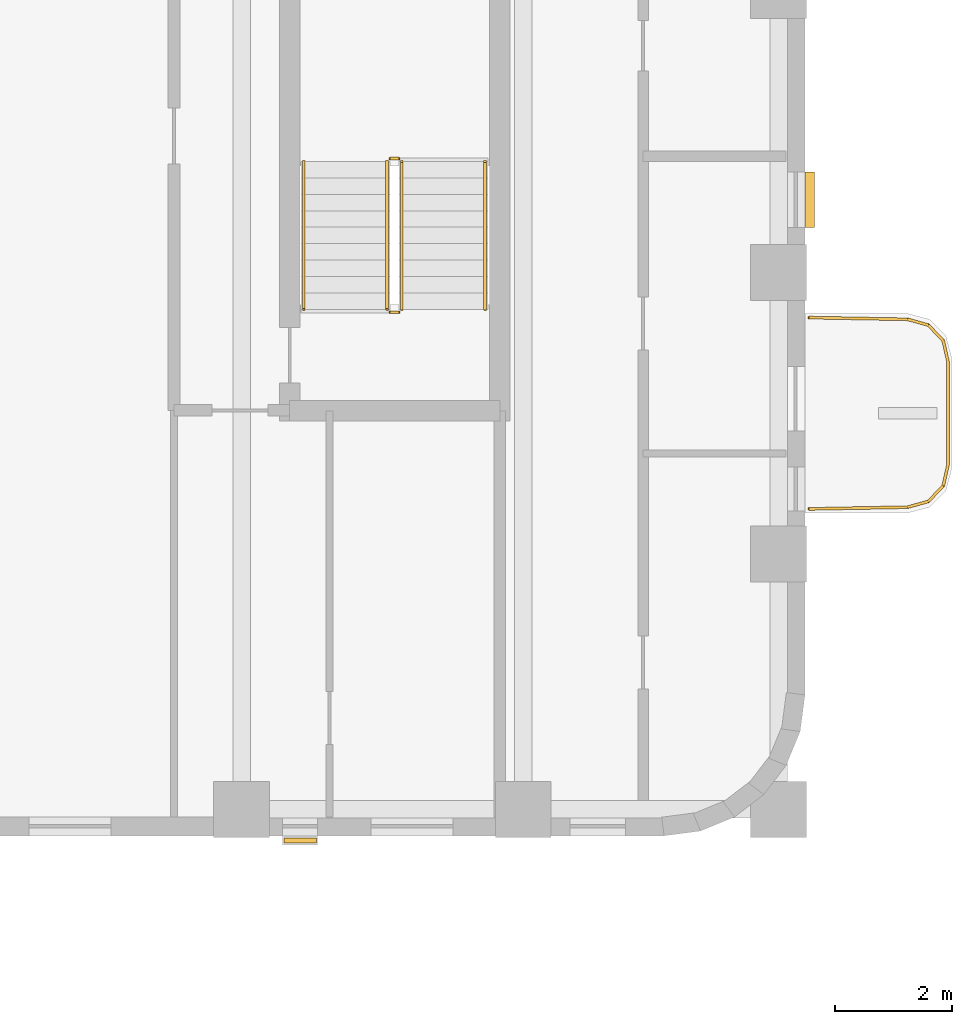
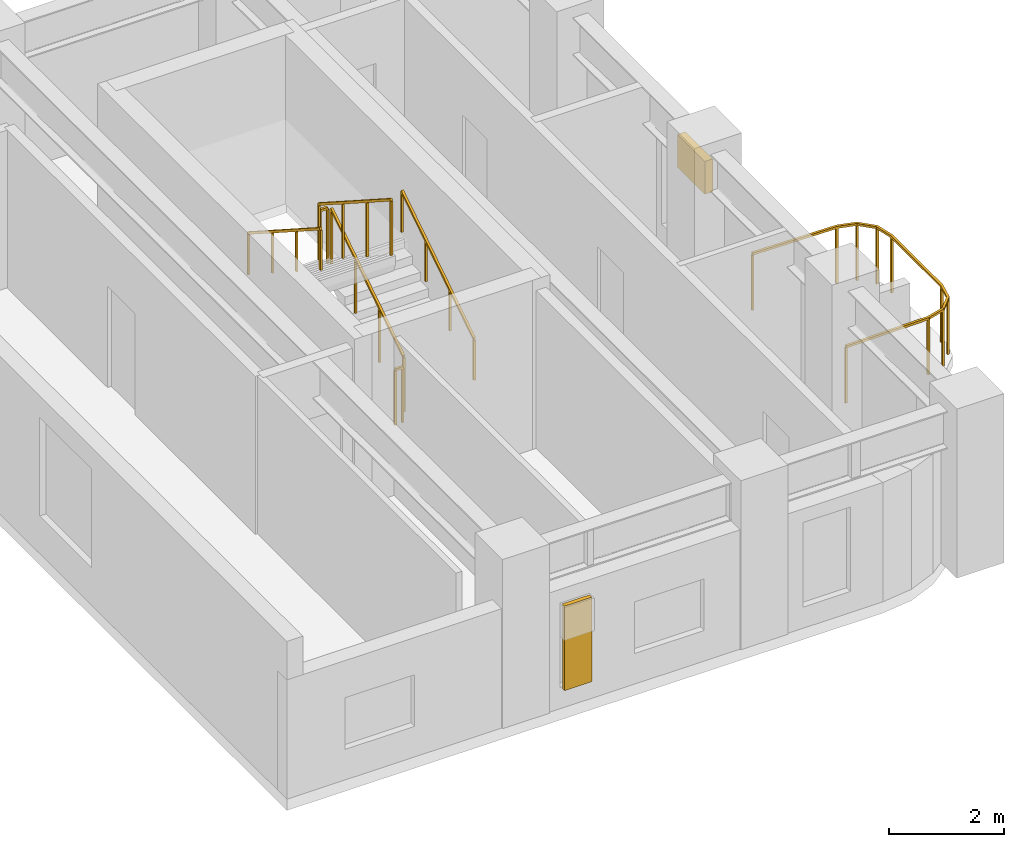
# One storey, part 9 of 10: 7 railings, 2 shading devices.
"""IFC4 building model written with IfcOpenShell, lengths in metres."""

import ifcopenshell
import ifcopenshell.guid

model = None  # the IFC model being written
_history = None  # IfcOwnerHistory: only IFC2X3 demands one
_inside = {}  # id of a spatial element -> (the spatial element, [elements in it])
_under = {}  # id of a project, library or spatial element -> (it, [spatial elements below it])
_declared = {}  # id of a project -> (the project, [libraries it declares])
_typed = {}  # id of a type object -> (the type object, [elements of that type])
_made_of = {}  # id of a material, layer set ... -> (it, [elements and type objects made of it])


def new_model(schema):
    """Start an empty IFC model of exactly this schema.

    Asked for "IFC4X3", IfcOpenShell would pick the latest addendum, in which some entities
    have other attributes; the version numbers below select the first issue.
    IFC2X3 requires an IfcOwnerHistory on every rooted entity: one is made here for all.
    """
    global model, _history
    if schema == "IFC4X3":
        model = ifcopenshell.file(schema_version=(4, 3, 0, 0))
    else:
        model = ifcopenshell.file(schema=schema)
    _inside.clear()
    _under.clear()
    _declared.clear()
    _typed.clear()
    _made_of.clear()
    _history = None
    if model.schema == "IFC2X3":
        org = make("IfcOrganization", Name="unknown")
        user = make(
            "IfcPersonAndOrganization",
            ThePerson=make("IfcPerson", FamilyName="unknown"),
            TheOrganization=org,
        )
        app = make(
            "IfcApplication",
            ApplicationDeveloper=org,
            Version="unknown",
            ApplicationFullName="unknown",
            ApplicationIdentifier="unknown",
        )
        _history = make(
            "IfcOwnerHistory",
            OwningUser=user,
            OwningApplication=app,
            ChangeAction="ADDED",
            CreationDate=0,
        )
    return model


def make(cls, **values):
    """One entity of the class cls with the attributes given. An attribute that is None is left unset."""
    return model.create_entity(
        cls, **{name: value for name, value in values.items() if value is not None}
    )


def rooted(cls, **values):
    """An entity with a GlobalId (a new one), such as an element, a storey or a relation."""
    return make(cls, GlobalId=ifcopenshell.guid.new(), OwnerHistory=_history, **values)


def si_unit(unit_type, name, prefix=None):
    """IfcSIUnit, for example si_unit("LENGTHUNIT", "METRE", prefix="MILLI")."""
    return make("IfcSIUnit", UnitType=unit_type, Prefix=prefix, Name=name)


def assignment(units):
    """IfcUnitAssignment: the units of a project."""
    return None if units is None else make("IfcUnitAssignment", Units=units)


def point(xyz):
    """IfcCartesianPoint."""
    return None if xyz is None else make("IfcCartesianPoint", Coordinates=xyz)


def direction(xyz):
    """IfcDirection."""
    return None if xyz is None else make("IfcDirection", DirectionRatios=xyz)


def frame(location, z_axis=None, x_axis=None):
    """IfcAxis2Placement3D, a coordinate frame: its origin and axes. An axis left out is left unset."""
    return make(
        "IfcAxis2Placement3D",
        Location=point(location),
        Axis=direction(z_axis),
        RefDirection=direction(x_axis),
    )


def frame_2d(location, x_axis=None):
    """IfcAxis2Placement2D, a coordinate frame in the plane: its origin and x axis."""
    return make(
        "IfcAxis2Placement2D", Location=point(location), RefDirection=direction(x_axis)
    )


def origin():
    """The frame at (0, 0, 0) with its axes left unset."""
    return frame((0.0, 0.0, 0.0))


def origin_2d():
    """The frame at (0, 0) in the plane with its x axis left unset."""
    return frame_2d((0.0, 0.0))


def place(relative_to, where):
    """IfcLocalPlacement: puts the frame where relative to a parent placement (None: the world)."""
    return make(
        "IfcLocalPlacement", PlacementRelTo=relative_to, RelativePlacement=where
    )


def context(
    kind, dimensions, precision=None, world=None, true_north=None, identifier=None
):
    """IfcGeometricRepresentationContext, for example the 3D "Model" context."""
    return make(
        "IfcGeometricRepresentationContext",
        ContextIdentifier=identifier,
        ContextType=kind,
        CoordinateSpaceDimension=dimensions,
        Precision=precision,
        WorldCoordinateSystem=world,
        TrueNorth=true_north,
    )


def subcontext(parent, identifier, kind, view, scale=None):
    """IfcGeometricRepresentationSubContext, for example "Body" below "Model"."""
    return make(
        "IfcGeometricRepresentationSubContext",
        ContextIdentifier=identifier,
        ContextType=kind,
        ParentContext=parent,
        TargetScale=scale,
        TargetView=view,
    )


def project(units=None, contexts=None):
    """IfcProject with its units and contexts."""
    return rooted(
        "IfcProject",
        Name="project",
        RepresentationContexts=contexts,
        UnitsInContext=assignment(units),
    )


def spatial(cls, under=None, at=None, **own):
    """A site, building, storey or space (cls), placed at a placement, below another one or the project."""
    s = rooted(cls, ObjectPlacement=at, **own)
    if under is not None:
        _under.setdefault(under.id(), (under, []))[1].append(s)
    return s


def profile(cls, at=None, kind="AREA", **sizes):
    """A parametric profile (cls). Its sizes go by their IFC names, for example OverallWidth=200.0."""
    return make(cls, ProfileType=kind, Position=at, **sizes)


def rectangle(**sizes):
    """IfcRectangleProfileDef."""
    return profile("IfcRectangleProfileDef", **sizes)


def extrude(swept, where, along, depth):
    """IfcExtrudedAreaSolid: the profile swept, set in the frame where, extruded along a direction by depth."""
    return make(
        "IfcExtrudedAreaSolid",
        SweptArea=swept,
        Position=where,
        ExtrudedDirection=direction(along),
        Depth=depth,
    )


def shape(context_of_items, identifier, shape_type, items):
    """IfcShapeRepresentation: the items that make up one representation, for example the "Body"."""
    return make(
        "IfcShapeRepresentation",
        ContextOfItems=context_of_items,
        RepresentationIdentifier=identifier,
        RepresentationType=shape_type,
        Items=items,
    )


def material(Name=None, Category=None):
    """IfcMaterial."""
    return make("IfcMaterial", Name=Name, Category=Category)


def made_of(thing, what):
    """Note that an element or type object is made of a material, layer set ...; save() writes the relation."""
    if what is not None:
        _made_of.setdefault(what.id(), (what, []))[1].append(thing)
    return thing


def type_object(cls, material=None, **own):
    """A type object (cls), such as IfcWallType, which elements share."""
    return made_of(rooted(cls, **own), material)


def element(
    cls,
    number,
    at=None,
    inside=None,
    cuts=None,
    type_object=None,
    material=None,
    context=None,
    identifier="Body",
    shape_type=None,
    held_by="IfcProductDefinitionShape",
    body=None,
    shapes=None,
    **own,
):
    """One element of the class cls, such as IfcWall. Its Tag is "e" and its number.

    at: its placement. inside: the storey or other place that contains it. cuts: it is an
    opening in that element (IfcRelVoidsElement). A single representation is given by context,
    identifier, shape_type and body (its items); several are given by shapes. held_by: the class
    of the entity that holds the representations. save() writes the other relations.
    """
    e = rooted(cls, Tag="e%d" % number, ObjectPlacement=at, **own)
    if body is not None:
        shapes = [shape(context, identifier, shape_type, body)]
    if shapes is not None:
        e.Representation = make(held_by, Representations=shapes)
    if inside is not None:
        _inside.setdefault(inside.id(), (inside, []))[1].append(e)
    if cuts is not None:
        rooted(
            "IfcRelVoidsElement", RelatingBuildingElement=cuts, RelatedOpeningElement=e
        )
    if type_object is not None:
        _typed.setdefault(type_object.id(), (type_object, []))[1].append(e)
    return made_of(e, material)


def aggregate(whole, parts):
    """IfcRelAggregates: a whole, such as a stair, and the parts it consists of."""
    return rooted("IfcRelAggregates", RelatingObject=whole, RelatedObjects=parts)


def save(model, path):
    """Write the relations noted so far, then the file.

    IfcRelAggregates (storeys below a building ...), IfcRelContainedInSpatialStructure (elements
    in a storey), IfcRelDefinesByType, IfcRelAssociatesMaterial and IfcRelDeclares: one each for
    every whole, place, type object, material and project.
    """
    for whole, parts in _under.values():
        aggregate(whole, parts)
    for where, things in _inside.values():
        rooted(
            "IfcRelContainedInSpatialStructure",
            RelatedElements=things,
            RelatingStructure=where,
        )
    for kind, things in _typed.values():
        rooted("IfcRelDefinesByType", RelatedObjects=things, RelatingType=kind)
    for what, things in _made_of.values():
        rooted("IfcRelAssociatesMaterial", RelatedObjects=things, RelatingMaterial=what)
    for by, libraries in _declared.values():
        rooted("IfcRelDeclares", RelatingContext=by, RelatedDefinitions=libraries)
    model.write(path)


model = new_model("IFC4")

# Units and contexts
model_context = context("Model", 3, precision=1e-05, world=origin(), true_north=direction((0.0, 1.0)))
body_context = subcontext(model_context, "Body", "Model", "MODEL_VIEW")
ifc_project = project(units=[si_unit("LENGTHUNIT", "METRE"), si_unit("AREAUNIT", "SQUARE_METRE"), si_unit("VOLUMEUNIT", "CUBIC_METRE"), si_unit("PLANEANGLEUNIT", "RADIAN"), si_unit("MASSUNIT", "GRAM", prefix="KILO")], contexts=[model_context])

# Site, building, storey
site_placement = place(None, origin())
site = spatial("IfcSite", under=ifc_project, at=site_placement, CompositionType="ELEMENT")
building_placement = place(site_placement, origin())
building = spatial("IfcBuilding", under=site, at=building_placement, Name="Orvandelia Arch Residences", CompositionType="ELEMENT")
storey_placement = place(building_placement, frame((0.0, 0.0, 182.800048828125)))
storey = spatial("IfcBuildingStorey", under=building, at=storey_placement, Name="L48", CompositionType="ELEMENT", Elevation=182.800048828125)

# Railings
ifc_material_1 = material(Name="Marine-Grade Stainless Steel 316", Category="steel")
railing_type_1 = type_object("IfcRailingType", Name="GRD-BAL-1200", PredefinedType="BALUSTRADE", material=ifc_material_1)
railing_1_placement = place(storey_placement, frame((52.871826171875, 34.36962890625, 0.0)))
element("IfcRailing", 1, at=railing_1_placement, inside=storey, type_object=railing_type_1, Name="Safety Balustrade Guard GRD-L48-BAL-L48-E1-1", PredefinedType="BALUSTRADE", context=body_context, shape_type="SweptSolid", body=[
    extrude(rectangle(XDim=0.048095703125, YDim=0.048095703125, at=origin_2d()), frame((0.0, 0.0, 1.19580078125), z_axis=(0.999837384468, 0.018033430643, 0.0), x_axis=(-0.018033430643, 0.999837384468, 0.0)), (0.0, 0.0, 1.0), 1.6787109375),
    extrude(rectangle(XDim=0.048095703125, YDim=0.048095703125, at=origin_2d()), frame((1.678466796875, 0.0302734375, 1.19580078125), z_axis=(0.96348920644, 0.267747173792, 0.0), x_axis=(-0.267747173792, 0.96348920644, 0.0)), (0.0, 0.0, 1.0), 0.36572265625),
    extrude(rectangle(XDim=0.048095703125, YDim=0.048095703125, at=origin_2d()), frame((2.03076171875, 0.128173828125, 1.19580078125), z_axis=(0.687947031175, 0.725760898848, 0.0), x_axis=(-0.725760898848, 0.687947031175, 0.0)), (0.0, 0.0, 1.0), 0.367919921875),
    extrude(rectangle(XDim=0.048095703125, YDim=0.048095703125, at=origin_2d()), frame((2.283935546875, 0.395263671875, 1.19580078125), z_axis=(0.221225034864, 0.975222786828, 0.0), x_axis=(-0.975222786828, 0.221225034864, 0.0)), (0.0, 0.0, 1.0), 0.373046875),
    extrude(rectangle(XDim=0.048095703125, YDim=0.048095703125, at=origin_2d()), frame((2.366455078125, 0.759033203125, 1.19580078125), z_axis=(0.0, 1.0, 0.0), x_axis=(-1.0, 0.0, 0.0)), (0.0, 0.0, 1.0), 1.74267578125),
    extrude(rectangle(XDim=0.048095703125, YDim=0.048095703125, at=origin_2d()), frame((2.366455078125, 2.501708984375, 1.19580078125), z_axis=(-0.221225034864, 0.975222786828, 0.0), x_axis=(-0.975222786828, -0.221225034864, 0.0)), (0.0, 0.0, 1.0), 0.373046875),
    extrude(rectangle(XDim=0.048095703125, YDim=0.048095703125, at=origin_2d()), frame((2.283935546875, 2.865478515625, 1.19580078125), z_axis=(-0.687947031175, 0.725760898848, 0.0), x_axis=(-0.725760898848, -0.687947031175, 0.0)), (0.0, 0.0, 1.0), 0.367919921875),
    extrude(rectangle(XDim=0.048095703125, YDim=0.048095703125, at=origin_2d()), frame((2.03076171875, 3.132568359375, 1.19580078125), z_axis=(-0.96348920644, 0.267747173792, 0.0), x_axis=(-0.267747173792, -0.96348920644, 0.0)), (0.0, 0.0, 1.0), 0.36572265625),
    extrude(rectangle(XDim=0.048095703125, YDim=0.048095703125, at=origin_2d()), frame((1.678466796875, 3.23046875, 1.19580078125), z_axis=(-0.999837384468, 0.018033430643, 0.0), x_axis=(-0.018033430643, -0.999837384468, 0.0)), (0.0, 0.0, 1.0), 1.6787109375),
    extrude(rectangle(XDim=0.0419921875, YDim=0.0419921875, at=origin_2d()), origin(), (0.0, 0.0, 1.0), 1.171875),
    extrude(rectangle(XDim=0.0419921875, YDim=0.0419921875, at=origin_2d()), frame((1.678466796875, 0.0302734375, 0.0)), (0.0, 0.0, 1.0), 1.171875),
    extrude(rectangle(XDim=0.0419921875, YDim=0.0419921875, at=origin_2d()), frame((2.03076171875, 0.128173828125, 0.0)), (0.0, 0.0, 1.0), 1.171875),
    extrude(rectangle(XDim=0.0419921875, YDim=0.0419921875, at=origin_2d()), frame((2.283935546875, 0.395263671875, 0.0)), (0.0, 0.0, 1.0), 1.171875),
    extrude(rectangle(XDim=0.0419921875, YDim=0.0419921875, at=origin_2d()), frame((2.366455078125, 0.759033203125, 0.0)), (0.0, 0.0, 1.0), 1.171875),
    extrude(rectangle(XDim=0.0419921875, YDim=0.0419921875, at=origin_2d()), frame((2.366455078125, 2.501708984375, 0.0)), (0.0, 0.0, 1.0), 1.171875),
    extrude(rectangle(XDim=0.0419921875, YDim=0.0419921875, at=origin_2d()), frame((2.283935546875, 2.865478515625, 0.0)), (0.0, 0.0, 1.0), 1.171875),
    extrude(rectangle(XDim=0.0419921875, YDim=0.0419921875, at=origin_2d()), frame((2.03076171875, 3.132568359375, 0.0)), (0.0, 0.0, 1.0), 1.171875),
    extrude(rectangle(XDim=0.0419921875, YDim=0.0419921875, at=origin_2d()), frame((1.678466796875, 3.23046875, 0.0)), (0.0, 0.0, 1.0), 1.171875),
    extrude(rectangle(XDim=0.0419921875, YDim=0.0419921875, at=origin_2d()), frame((0.0, 3.2607421875, 0.0)), (0.0, 0.0, 1.0), 1.171875),
])
ifc_material_2 = material(Name="Brushed Stainless Steel 304", Category="steel")
railing_type_2 = type_object("IfcRailingType", Name="RL-STAIR-GD1120", PredefinedType="GUARDRAIL", material=ifc_material_2)
railing_2_placement = place(storey_placement, frame((45.929931640625, 37.77001953125, 0.179931640625)))
element("IfcRailing", 2, at=railing_2_placement, inside=storey, type_object=railing_type_2, Name="L48 ST-3 stair guard 1", PredefinedType="GUARDRAIL", context=body_context, shape_type="SweptSolid", body=[
    extrude(rectangle(XDim=0.048095703125, YDim=0.048095703125, at=origin_2d()), frame((0.0, 0.0, 1.17578125), z_axis=(0.0, 0.841162588446, 0.540782303519), x_axis=(-1.0, 0.0, 0.0)), (0.0, 0.0, 1.0), 2.995849609375),
    extrude(rectangle(XDim=0.0419921875, YDim=0.0419921875, at=origin_2d()), origin(), (0.0, 0.0, 1.0), 1.15185546875),
    extrude(rectangle(XDim=0.0419921875, YDim=0.0419921875, at=origin_2d()), frame((0.0, 0.840087890625, 0.5400390625)), (0.0, 0.0, 1.0), 1.15185546875),
    extrude(rectangle(XDim=0.0419921875, YDim=0.0419921875, at=origin_2d()), frame((0.0, 1.679931640625, 1.080078125)), (0.0, 0.0, 1.0), 1.15185546875),
    extrude(rectangle(XDim=0.0419921875, YDim=0.0419921875, at=origin_2d()), frame((0.0, 2.52001953125, 1.6201171875)), (0.0, 0.0, 1.0), 1.15185546875),
])
railing_3_placement = place(storey_placement, frame((45.8798828125, 40.340087890625, 1.800048828125)))
element("IfcRailing", 3, at=railing_3_placement, inside=storey, type_object=railing_type_2, Name="L48 ST-3 stair guard 2", PredefinedType="GUARDRAIL", context=body_context, shape_type="SweptSolid", body=[
    extrude(rectangle(XDim=0.048095703125, YDim=0.048095703125, at=origin_2d()), frame((0.0, 0.0, 1.17578125), z_axis=(-1.0, 0.0, 0.0), x_axis=(0.0, -1.0, 0.0)), (0.0, 0.0, 1.0), 0.14990234375),
    extrude(rectangle(XDim=0.0419921875, YDim=0.0419921875, at=origin_2d()), origin(), (0.0, 0.0, 1.0), 1.15185546875),
    extrude(rectangle(XDim=0.0419921875, YDim=0.0419921875, at=origin_2d()), frame((-0.14990234375, 0.0, 0.0)), (0.0, 0.0, 1.0), 1.15185546875),
])
railing_4_placement = place(storey_placement, frame((45.679931640625, 40.2900390625, 1.97998046875)))
element("IfcRailing", 4, at=railing_4_placement, inside=storey, type_object=railing_type_2, Name="L48 ST-3 stair guard 3", PredefinedType="GUARDRAIL", context=body_context, shape_type="SweptSolid", body=[
    extrude(rectangle(XDim=0.048095703125, YDim=0.048095703125, at=origin_2d()), frame((0.0, 0.0, 1.17578125), z_axis=(0.0, -0.841199657755, 0.540724639528), x_axis=(1.0, 0.0, 0.0)), (0.0, 0.0, 1.0), 2.995849609375),
    extrude(rectangle(XDim=0.0419921875, YDim=0.0419921875, at=origin_2d()), origin(), (0.0, 0.0, 1.0), 1.15185546875),
    extrude(rectangle(XDim=0.0419921875, YDim=0.0419921875, at=origin_2d()), frame((0.0, -0.840087890625, 0.5400390625)), (0.0, 0.0, 1.0), 1.15185546875),
    extrude(rectangle(XDim=0.0419921875, YDim=0.0419921875, at=origin_2d()), frame((0.0, -1.679931640625, 1.079833984375)), (0.0, 0.0, 1.0), 1.15185546875),
    extrude(rectangle(XDim=0.0419921875, YDim=0.0419921875, at=origin_2d()), frame((0.0, -2.52001953125, 1.619873046875)), (0.0, 0.0, 1.0), 1.15185546875),
])
railing_5_placement = place(storey_placement, frame((45.8798828125, 37.719970703125, 0.0)))
element("IfcRailing", 5, at=railing_5_placement, inside=storey, type_object=railing_type_2, Name="L48 ST-3 stair guard 4", PredefinedType="GUARDRAIL", context=body_context, shape_type="SweptSolid", body=[
    extrude(rectangle(XDim=0.048095703125, YDim=0.048095703125, at=origin_2d()), frame((0.0, 0.0, 1.17578125), z_axis=(-1.0, 0.0, 0.0), x_axis=(0.0, -1.0, 0.0)), (0.0, 0.0, 1.0), 0.14990234375),
    extrude(rectangle(XDim=0.0419921875, YDim=0.0419921875, at=origin_2d()), origin(), (0.0, 0.0, 1.0), 1.15185546875),
    extrude(rectangle(XDim=0.0419921875, YDim=0.0419921875, at=origin_2d()), frame((-0.14990234375, 0.0, 0.0)), (0.0, 0.0, 1.0), 1.15185546875),
])
railing_type_3 = type_object("IfcRailingType", Name="RL-STAIR-HR920", PredefinedType="HANDRAIL", material=ifc_material_2)
railing_6_placement = place(storey_placement, frame((47.35009765625, 37.77001953125, 0.35986328125)))
element("IfcRailing", 6, at=railing_6_placement, inside=storey, type_object=railing_type_3, Name="L48 ST-3 stair handrail 1", PredefinedType="HANDRAIL", context=body_context, shape_type="SweptSolid", body=[
    extrude(rectangle(XDim=0.048095703125, YDim=0.048095703125, at=origin_2d()), frame((0.0, 0.0, 0.8759765625), z_axis=(0.0, 0.841162588446, 0.540782303519), x_axis=(-1.0, 0.0, 0.0)), (0.0, 0.0, 1.0), 2.995849609375),
    extrude(rectangle(XDim=0.0419921875, YDim=0.0419921875, at=origin_2d()), origin(), (0.0, 0.0, 1.0), 0.851806640625),
    extrude(rectangle(XDim=0.0419921875, YDim=0.0419921875, at=origin_2d()), frame((0.0, 0.840087890625, 0.5400390625)), (0.0, 0.0, 1.0), 0.851806640625),
    extrude(rectangle(XDim=0.0419921875, YDim=0.0419921875, at=origin_2d()), frame((0.0, 1.679931640625, 1.080078125)), (0.0, 0.0, 1.0), 0.851806640625),
    extrude(rectangle(XDim=0.0419921875, YDim=0.0419921875, at=origin_2d()), frame((0.0, 2.52001953125, 1.6201171875)), (0.0, 0.0, 1.0), 0.851806640625),
])
railing_7_placement = place(storey_placement, frame((44.260009765625, 40.2900390625, 2.159912109375)))
element("IfcRailing", 7, at=railing_7_placement, inside=storey, type_object=railing_type_3, Name="L48 ST-3 stair handrail 2", PredefinedType="HANDRAIL", context=body_context, shape_type="SweptSolid", body=[
    extrude(rectangle(XDim=0.048095703125, YDim=0.048095703125, at=origin_2d()), frame((0.0, 0.0, 0.8759765625), z_axis=(0.0, -0.841162588446, 0.540782303519), x_axis=(1.0, 0.0, 0.0)), (0.0, 0.0, 1.0), 2.995849609375),
    extrude(rectangle(XDim=0.0419921875, YDim=0.0419921875, at=origin_2d()), origin(), (0.0, 0.0, 1.0), 0.851806640625),
    extrude(rectangle(XDim=0.0419921875, YDim=0.0419921875, at=origin_2d()), frame((0.0, -0.840087890625, 0.5400390625)), (0.0, 0.0, 1.0), 0.851806640625),
    extrude(rectangle(XDim=0.0419921875, YDim=0.0419921875, at=origin_2d()), frame((0.0, -1.679931640625, 1.080078125)), (0.0, 0.0, 1.0), 0.851806640625),
    extrude(rectangle(XDim=0.0419921875, YDim=0.0419921875, at=origin_2d()), frame((0.0, -2.52001953125, 1.6201171875)), (0.0, 0.0, 1.0), 0.851806640625),
])

# Shading devices
ifc_material_3 = material(Name="Anodised Champagne-Bronze Extruded Aluminium", Category="aluminium")
shading_device_type_1 = type_object("IfcShadingDeviceType", Name="SHD-JALOUSIE-SCREEN", PredefinedType="JALOUSIE", material=ifc_material_3)
shading_device_1_placement = place(storey_placement, frame((52.8798828125, 39.638916015625, 1.5498046875), z_axis=(0.0, 0.0, 1.0), x_axis=(0.0, -1.0, 0.0)))
element("IfcShadingDevice", 8, at=shading_device_1_placement, inside=storey, type_object=shading_device_type_1, Name="Bronze Jalousie Sun-Shade L48-002", PredefinedType="JALOUSIE", context=body_context, shape_type="SweptSolid", body=[
    extrude(rectangle(XDim=0.949951171875, YDim=0.159912109375, at=origin_2d()), origin(), (0.0, 0.0, 1.0), 0.699951171875),
])
ifc_material_4 = material(Name="Marine-Grade Perforated Aluminium Storm Shutter", Category="aluminium")
shading_device_type_2 = type_object("IfcShadingDeviceType", Name="SHD-STORM-SHUTTER", PredefinedType="SHUTTER", material=ifc_material_4)
shading_device_2_placement = place(storey_placement, frame((44.197509765625, 28.719970703125, 0.44970703125), z_axis=(0.0, 0.0, 1.0), x_axis=(-1.0, 0.0, 0.0)))
element("IfcShadingDevice", 9, at=shading_device_2_placement, inside=storey, type_object=shading_device_type_2, Name="Operable Typhoon Storm Shutter L48-003", PredefinedType="SHUTTER", context=body_context, shape_type="SweptSolid", body=[
    extrude(rectangle(XDim=0.550048828125, YDim=0.080078125, at=origin_2d()), origin(), (0.0, 0.0, 1.0), 1.800048828125),
])

save(model, "model.ifc")
